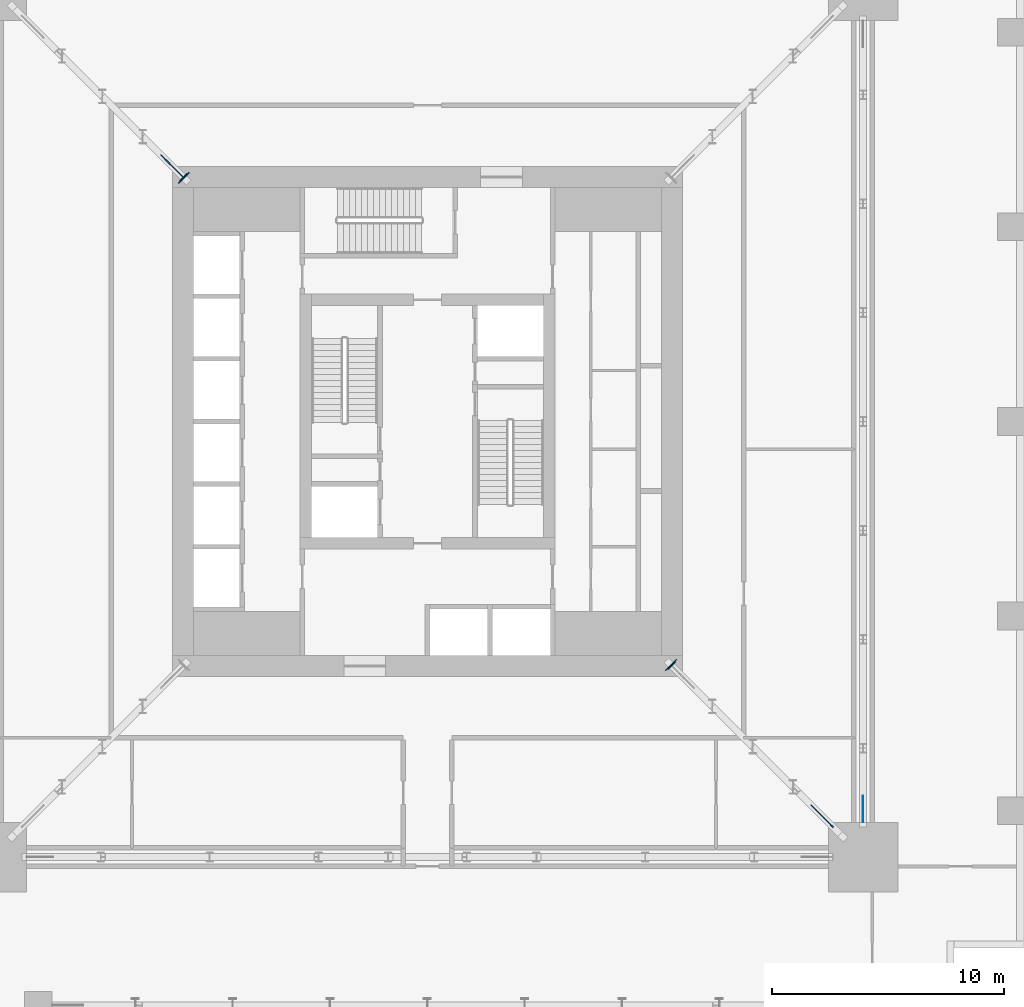
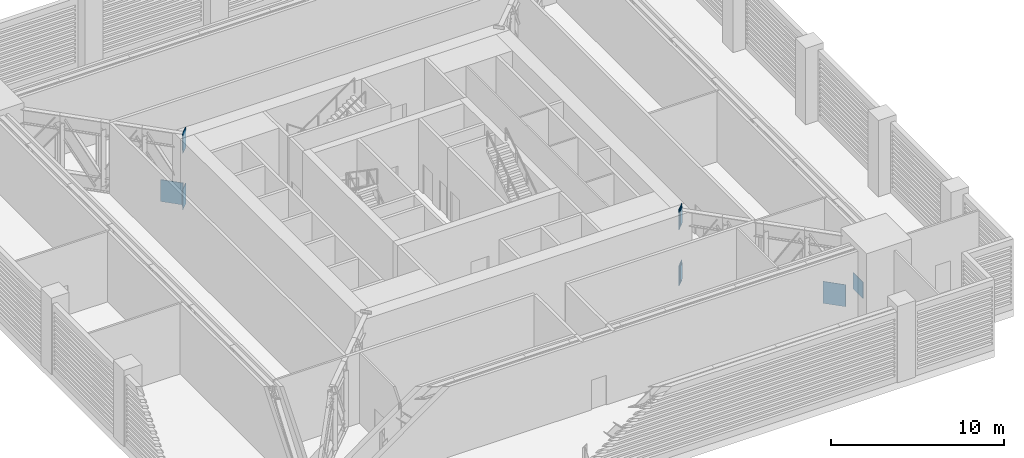
# One storey, part 7 of 17: 11 plates.
"""IFC4 building model written with IfcOpenShell, lengths in metres."""

from ifc_helpers import new_model, si_unit, direction, frame, origin, origin_2d, place, context, subcontext, project, spatial, rectangle, extrude, material, layer, layer_set, type_object, element, save


model = new_model("IFC4")

# Units and contexts
model_context = context("Model", 3, precision=1e-05, world=origin(), true_north=direction((0.0, 1.0)))
body_context = subcontext(model_context, "Body", "Model", "MODEL_VIEW")
ifc_project = project(units=[si_unit("LENGTHUNIT", "METRE"), si_unit("AREAUNIT", "SQUARE_METRE"), si_unit("VOLUMEUNIT", "CUBIC_METRE"), si_unit("PLANEANGLEUNIT", "RADIAN"), si_unit("MASSUNIT", "GRAM", prefix="KILO")], contexts=[model_context])

# Site, building, storey
site_placement = place(None, origin())
site = spatial("IfcSite", under=ifc_project, at=site_placement, CompositionType="ELEMENT")
building_placement = place(site_placement, origin())
building = spatial("IfcBuilding", under=site, at=building_placement, Name="Khepri Terraces", CompositionType="ELEMENT")
storey_placement = place(building_placement, frame((0.0, 0.0, 73.800048828125)))
storey = spatial("IfcBuildingStorey", under=building, at=storey_placement, Name="L17", CompositionType="ELEMENT", Elevation=73.800048828125)

# Plates
ifc_material = material(Name="Steel S355", Category="steel")
ifc_layer_1 = layer(ifc_material, 0.034912109375, Name="Steel S355", Category="steel")
ifc_layer_set_1 = layer_set([ifc_layer_1], Name="Steel S355")
plate_type_1 = type_object("IfcPlateType", Name="Cast-in plate 1450x650x35", PredefinedType="USERDEFINED", material=ifc_layer_set_1)
for number, where, z_axis, x_axis, name in (
    (1, (10.50927734375, -10.50927734375, -0.22119140625), (0.0, 0.0, 1.0), (0.707106781187, -0.707106781187, 0.0), "CAST-IN PLATE OT-17-ES BOT wall A"),
    (2, (10.50927734375, -10.50927734375, 3.7509765625), (0.0, 0.0, 1.0), (0.707106781187, -0.707106781187, 0.0), "CAST-IN PLATE OT-17-ES TOP wall A"),
    (3, (-10.50927734375, 10.50927734375, -0.22119140625), (0.0, 0.0, 1.0), (-0.707106781187, 0.707106781187, 0.0), "CAST-IN PLATE OT-17-WN BOT wall A"),
    (4, (-10.50927734375, 10.50927734375, 3.7509765625), (0.0, 0.0, 1.0), (-0.707106781187, 0.707106781187, 0.0), "CAST-IN PLATE OT-17-WN TOP wall A"),
):
    element("IfcPlate", number, at=place(storey_placement, frame(where, z_axis=z_axis, x_axis=x_axis)), inside=storey, type_object=plate_type_1, Name=name, ObjectType="CAST-IN PLATE", PredefinedType="USERDEFINED", context=body_context, shape_type="SweptSolid", body=[
        extrude(rectangle(XDim=0.034912109375, YDim=0.64990234375, at=origin_2d()), origin(), (0.0, 0.0, 1.0), 1.449951171875),
    ])
ifc_layer_2 = layer(ifc_material, 0.0400390625, Name="Steel S355", Category="steel")
ifc_layer_set_2 = layer_set([ifc_layer_2], Name="Steel S355")
plate_type_2 = type_object("IfcPlateType", Name="End plate 1150x450x40", PredefinedType="USERDEFINED", material=ifc_layer_set_2)
for number, where, z_axis, x_axis, name in (
    (5, (10.535888671875, -10.535888671875, -0.071044921875), (0.0, 0.0, 1.0), (0.707106781187, -0.707106781187, 0.0), "END PLATE OT-17-ES BOT end A"),
    (6, (10.535888671875, -10.535888671875, 3.90087890625), (0.0, 0.0, 1.0), (0.707106781187, -0.707106781187, 0.0), "END PLATE OT-17-ES TOP end A"),
    (7, (-10.535888671875, 10.535888671875, -0.071044921875), (0.0, 0.0, 1.0), (-0.707106781187, 0.707106781187, 0.0), "END PLATE OT-17-WN BOT end A"),
    (8, (-10.535888671875, 10.535888671875, 3.90087890625), (0.0, 0.0, 1.0), (-0.707106781187, 0.707106781187, 0.0), "END PLATE OT-17-WN TOP end A"),
):
    element("IfcPlate", number, at=place(storey_placement, frame(where, z_axis=z_axis, x_axis=x_axis)), inside=storey, type_object=plate_type_2, Name=name, ObjectType="END PLATE", PredefinedType="USERDEFINED", context=body_context, shape_type="SweptSolid", body=[
        extrude(rectangle(XDim=0.0400390625, YDim=0.449951171875, at=origin_2d()), origin(), (0.0, 0.0, 1.0), 1.14990234375),
    ])
ifc_layer_3 = layer(ifc_material, 0.030029296875, Name="Steel S355", Category="steel")
ifc_layer_set_3 = layer_set([ifc_layer_3], Name="Steel S355")
plate_type_3 = type_object("IfcPlateType", Name="Gusset plate 1150x1150x30", PredefinedType="USERDEFINED", material=ifc_layer_set_3)
plate_placement = place(storey_placement, frame((18.800048828125, -16.72509765625, -0.10009765625), z_axis=(0.0, 0.0, 1.0), x_axis=(0.0, 1.0, 0.0)))
element("IfcPlate", 9, at=plate_placement, inside=storey, type_object=plate_type_3, Name="GUSSET PLATE BT-17-E column node A", ObjectType="GUSSET PLATE", PredefinedType="USERDEFINED", context=body_context, shape_type="SweptSolid", body=[
    extrude(rectangle(XDim=1.14990234375, YDim=0.030029296875, at=origin_2d()), origin(), (0.0, 0.0, 1.0), 1.14990234375),
])
ifc_layer_4 = layer(ifc_material, 0.034912109375, Name="Steel S355", Category="steel")
ifc_layer_set_4 = layer_set([ifc_layer_4], Name="Steel S355")
plate_type_4 = type_object("IfcPlateType", Name="Gusset plate 1350x1550x35", PredefinedType="USERDEFINED", material=ifc_layer_set_4)
for number, where, z_axis, x_axis, name in (
    (10, (17.034912109375, -17.034912109375, -0.10009765625), (0.0, 0.0, 1.0), (0.707106781187, -0.707106781187, 0.0), "GUSSET PLATE OT-17-ES column node B"),
    (11, (-11.02734375, 11.02734375, -0.10009765625), (0.0, 0.0, 1.0), (-0.707106781187, 0.707106781187, 0.0), "GUSSET PLATE OT-17-WN node A"),
):
    element("IfcPlate", number, at=place(storey_placement, frame(where, z_axis=z_axis, x_axis=x_axis)), inside=storey, type_object=plate_type_4, Name=name, ObjectType="GUSSET PLATE", PredefinedType="USERDEFINED", context=body_context, shape_type="SweptSolid", body=[
        extrude(rectangle(XDim=1.35009765625, YDim=0.034912109375, at=origin_2d()), origin(), (0.0, 0.0, 1.0), 1.550048828125),
    ])

save(model, "model.ifc")
